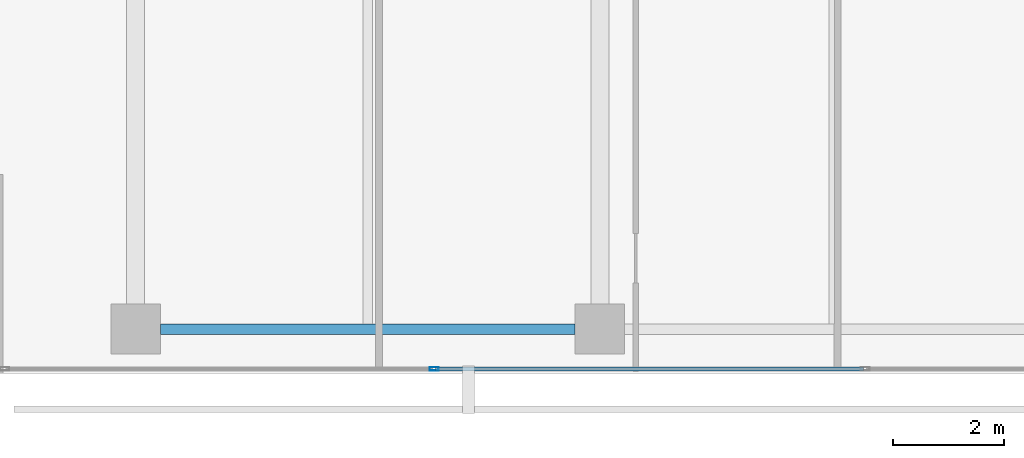
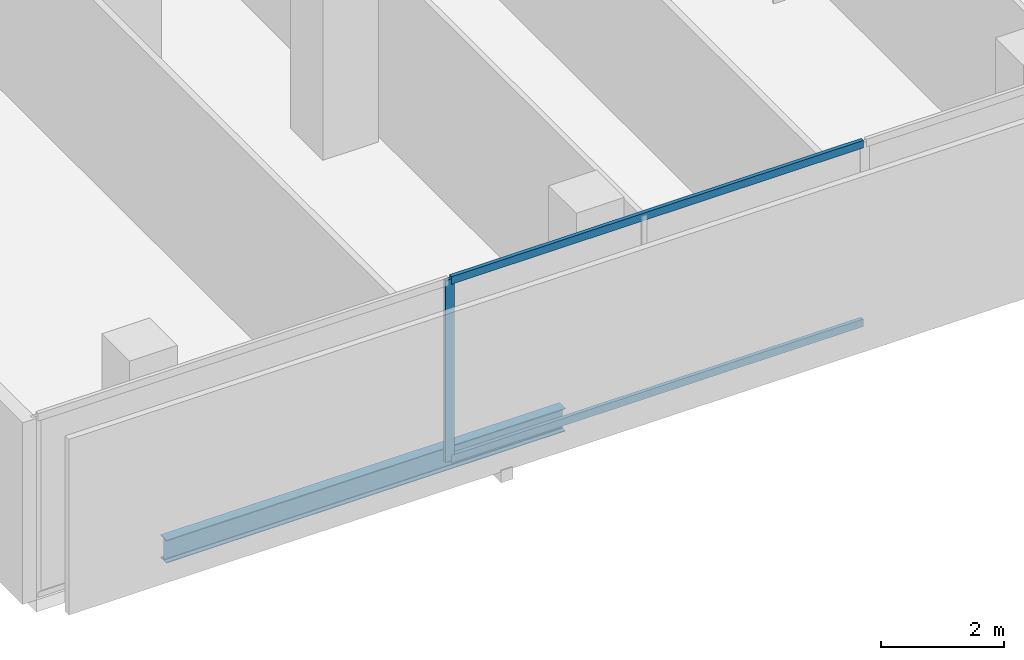
# One storey, part 3 of 40: 3 members, 1 beam, 1 element without a shape of its own.
"""IFC4 building model written with IfcOpenShell, lengths in metres."""

from ifc_helpers import new_model, si_unit, direction, frame, origin, origin_2d, place, context, subcontext, project, spatial, hollow_rectangle, i_section, extrude, material, layer, layer_set, material_profile, profile_set, type_object, element, aggregate, save


model = new_model("IFC4")

# Units and contexts
model_context = context("Model", 3, precision=1e-05, world=origin(), true_north=direction((0.0, 1.0)))
body_context = subcontext(model_context, "Body", "Model", "MODEL_VIEW")
ifc_project = project(units=[si_unit("LENGTHUNIT", "METRE"), si_unit("AREAUNIT", "SQUARE_METRE"), si_unit("VOLUMEUNIT", "CUBIC_METRE"), si_unit("PLANEANGLEUNIT", "RADIAN"), si_unit("MASSUNIT", "GRAM", prefix="KILO")], contexts=[model_context])

# Site, building, storey
site_placement = place(None, origin())
site = spatial("IfcSite", under=ifc_project, at=site_placement, CompositionType="ELEMENT")
building_placement = place(site_placement, origin())
building = spatial("IfcBuilding", under=site, at=building_placement, Name="Maruvema Waterfront Hotel and Observation Tower", CompositionType="ELEMENT")
storey_placement = place(building_placement, frame((0.0, 0.0, 42.35009765625)))
storey = spatial("IfcBuildingStorey", under=building, at=storey_placement, Name="L09", CompositionType="ELEMENT", Elevation=42.35009765625)

# Curtain wall, members
ifc_material_1 = material(Name="Anodised bronze aluminium and solar-control low-E IGU", Category="aluminium")
ifc_layer = layer(ifc_material_1, 0.159912109375, Name="Zone 1 Bronze Inner Thermal Curtain Wall System CW-02")
ifc_layer_set = layer_set([ifc_layer], Name="Anodised bronze aluminium and solar-control low-E IGU")
curtain_wall_type = type_object("IfcCurtainWallType", Name="Zone 1 Bronze Inner Thermal Curtain Wall System CW-02", PredefinedType="USERDEFINED", material=ifc_layer_set)
curtain_wall_placement = place(storey_placement, origin())
curtain_wall = element("IfcCurtainWall", 1, at=curtain_wall_placement, inside=storey, type_object=curtain_wall_type, Name="L09 Curtain Wall CW-L09-S", ObjectType="UNITISED CURTAIN WALL", PredefinedType="USERDEFINED")
ifc_material_2 = material(Name="Anodised architectural bronze aluminium", Category="aluminium")
ifc_material_profile_1 = material_profile(ifc_material_2, hollow_rectangle(XDim=0.070068359375, YDim=0.14990234375, WallThickness=0.00390625, at=origin_2d()), Name="ALU-T70x150")
ifc_profile_set_1 = profile_set([ifc_material_profile_1], Name="Anodised architectural bronze aluminium")
member_type_1 = type_object("IfcMemberType", Name="Curtain Wall Horizontal Transom ALU-T70x150", PredefinedType="USERDEFINED", material=ifc_profile_set_1)
member_1_placement = place(storey_placement, frame((22.22998046875, 0.080078125, 0.02978515625), z_axis=(1.0, 0.0, 0.0), x_axis=(0.0, 1.0, 0.0)))
member_1 = element("IfcMember", 2, at=member_1_placement, type_object=member_type_1, Name="CW-02 transom 2.1", ObjectType="TRANSOM", PredefinedType="USERDEFINED", context=body_context, shape_type="SweptSolid", body=[
    extrude(hollow_rectangle(XDim=0.070068359375, YDim=0.14990234375, WallThickness=0.00390625, at=origin_2d()), origin(), (0.0, 0.0, 1.0), 7.739990234375),
])
member_2_placement = place(storey_placement, frame((22.22998046875, 0.080078125, 3.579833984375), z_axis=(1.0, 0.0, 0.0), x_axis=(0.0, 1.0, 0.0)))
member_2 = element("IfcMember", 3, at=member_2_placement, type_object=member_type_1, Name="CW-02 transom 2.2", ObjectType="TRANSOM", PredefinedType="USERDEFINED", context=body_context, shape_type="SweptSolid", body=[
    extrude(hollow_rectangle(XDim=0.070068359375, YDim=0.14990234375, WallThickness=0.00390625, at=origin_2d()), origin(), (0.0, 0.0, 1.0), 7.739990234375),
])
ifc_material_3 = material(Name="Anodised architectural bronze aluminium", Category="aluminium")
ifc_material_profile_2 = material_profile(ifc_material_3, hollow_rectangle(XDim=0.06494140625, YDim=0.1650390625, WallThickness=0.00390625, at=origin_2d()), Name="ALU-M65x165")
ifc_profile_set_2 = profile_set([ifc_material_profile_2], Name="Anodised architectural bronze aluminium")
member_type_2 = type_object("IfcMemberType", Name="Curtain Wall Primary Mullion ALU-M65x165", PredefinedType="MULLION", material=ifc_profile_set_2)
member_3_placement = place(storey_placement, frame((22.199951171875, 0.080078125, 0.0), z_axis=(0.0, 0.0, 1.0), x_axis=(0.0, 1.0, 0.0)))
member_3 = element("IfcMember", 4, at=member_3_placement, type_object=member_type_2, Name="CW-02 mullion 2", PredefinedType="MULLION", context=body_context, shape_type="SweptSolid", body=[
    extrude(hollow_rectangle(XDim=0.06494140625, YDim=0.1650390625, WallThickness=0.00390625, at=origin_2d()), origin(), (0.0, 0.0, 1.0), 3.60986328125),
])
aggregate(curtain_wall, [member_3, member_1, member_2])

# Beam
ifc_material_4 = material(Name="Steel ASTM A572 Grade 50", Category="steel")
ifc_material_profile_3 = material_profile(ifc_material_4, i_section(OverallWidth=0.18994140625, OverallDepth=0.45703125, WebThickness=0.009033203125, FlangeThickness=0.014404296875, FilletRadius=0.014892578125, at=origin_2d()), Name="W460x74.0")
ifc_profile_set_3 = profile_set([ifc_material_profile_3], Name="Steel ASTM A572 Grade 50")
beam_type = type_object("IfcBeamType", Name="Perimeter Spandrel Beam W460x74.0", PredefinedType="SPANDREL", material=ifc_profile_set_3)
beam_placement = place(storey_placement, frame((17.25, 0.800048828125, -0.468505859375), z_axis=(1.0, 0.0, 0.0), x_axis=(0.0, 1.0, 0.0)))
element("IfcBeam", 5, at=beam_placement, inside=storey, type_object=beam_type, Name="L09 Floor Girder EW-01", PredefinedType="SPANDREL", context=body_context, shape_type="SweptSolid", body=[
    extrude(i_section(OverallWidth=0.18994140625, OverallDepth=0.45703125, WebThickness=0.009033203125, FlangeThickness=0.014404296875, FilletRadius=0.014892578125, at=origin_2d()), origin(), (0.0, 0.0, 1.0), 7.5),
])

save(model, "model.ifc")
